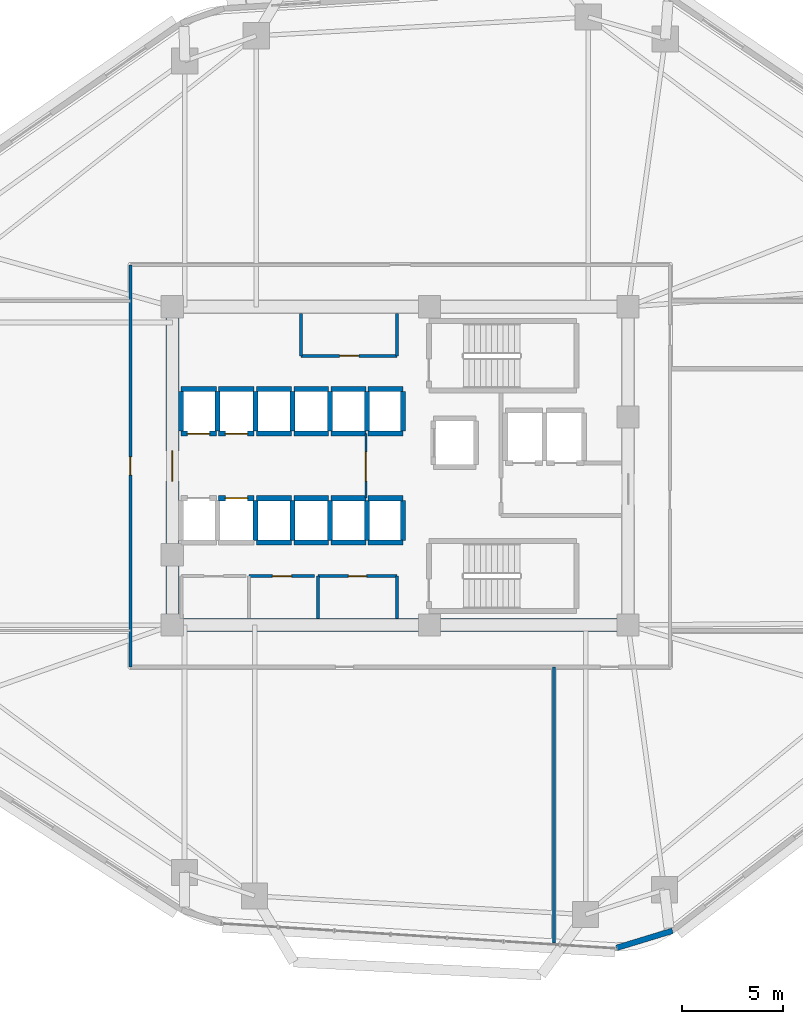
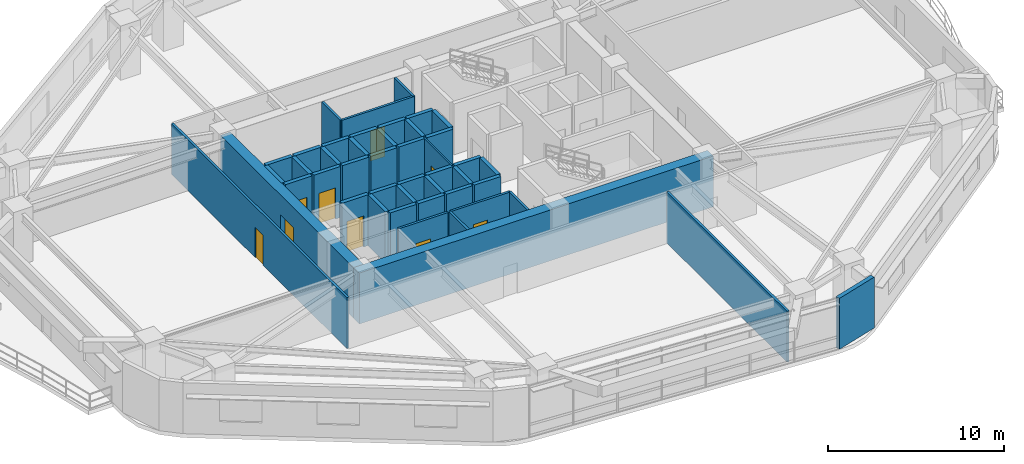
# One storey, part 8 of 13: 46 walls, 9 doors, 9 openings.
"""IFC4 building model written with IfcOpenShell, lengths in metres."""

from ifc_helpers import new_model, si_unit, direction, frame, frame_2d, origin, place, context, subcontext, project, spatial, rectangle, extrude, material, layer, layer_set, type_object, element, fill, save


model = new_model("IFC4")

# Units and contexts
model_context = context("Model", 3, precision=1e-05, world=origin(), true_north=direction((0.0, 1.0)))
body_context = subcontext(model_context, "Body", "Model", "MODEL_VIEW")
ifc_project = project(units=[si_unit("LENGTHUNIT", "METRE"), si_unit("AREAUNIT", "SQUARE_METRE"), si_unit("VOLUMEUNIT", "CUBIC_METRE"), si_unit("PLANEANGLEUNIT", "RADIAN"), si_unit("MASSUNIT", "GRAM", prefix="KILO")], contexts=[model_context])

# Site, building, storey
site_placement = place(None, origin())
site = spatial("IfcSite", under=ifc_project, at=site_placement, CompositionType="ELEMENT")
building_placement = place(site_placement, origin())
building = spatial("IfcBuilding", under=site, at=building_placement, Name="Zulverin Broadcast Headquarters", CompositionType="ELEMENT")
storey_placement = place(building_placement, frame((0.0, 0.0, 70.60009765625)))
storey = spatial("IfcBuildingStorey", under=building, at=storey_placement, Name="L17", CompositionType="ELEMENT", Elevation=70.60009765625)

# Wall
ifc_material_1 = material(Name="Concrete C60/75", Category="concrete")
ifc_layer_1 = layer(ifc_material_1, 0.64990234375, Name="Concrete C60/75", Category="concrete")
ifc_layer_set_1 = layer_set([ifc_layer_1], Name="Concrete C60/75")
wall_type_1 = type_object("IfcWallType", Name="WL-CORE-650", PredefinedType="SHEAR", material=ifc_layer_set_1)
wall_1_placement = place(storey_placement, frame((25.39990234375, 17.324951171875, 0.0), z_axis=(0.0, 0.0, 1.0), x_axis=(1.0, 0.0, 0.0)))
element("IfcWall", 1, at=wall_1_placement, inside=storey, type_object=wall_type_1, Name="L17 Core South Shear Wall", PredefinedType="SHEAR", context=body_context, shape_type="SweptSolid", body=[
    extrude(rectangle(XDim=23.2001953125, YDim=0.64990234375, at=frame_2d((11.60009765625, 0.0))), origin(), (0.0, 0.0, 1.0), 3.52490234375),
])

# Wall, opening, door
wall_2_placement = place(storey_placement, frame((25.72509765625, 17.64990234375, 0.0), z_axis=(0.0, 0.0, 1.0), x_axis=(0.0, 1.0, 0.0)))
wall_2 = element("IfcWall", 2, at=wall_2_placement, inside=storey, type_object=wall_type_1, Name="L17 Core West Shear Wall", PredefinedType="SHEAR", context=body_context, shape_type="SweptSolid", body=[
    extrude(rectangle(XDim=15.10009765625, YDim=0.64990234375, at=frame_2d((7.550048828125, 0.0))), origin(), (0.0, 0.0, 1.0), 3.52490234375),
])
opening_1_placement = place(wall_2_placement, frame((6.800048828125, 0.0, 0.0)))
opening_1 = element("IfcOpeningElement", 3, at=opening_1_placement, cuts=wall_2, Name="Opening D-L17-CW1", PredefinedType="OPENING", context=body_context, shape_type="SweptSolid", body=[
    extrude(rectangle(XDim=1.5, YDim=2.14990234375, at=frame_2d((0.75, 1.074951171875))), frame((0.0, 0.3349609375, 0.0), z_axis=(0.0, -1.0, 0.0), x_axis=(1.0, 0.0, 0.0)), (0.0, 0.0, 1.0), 0.669921875),
])
ifc_material_2 = material(Name="Fire-rated glazed steel frame", Category="steel")
door_type_1 = type_object("IfcDoorType", Name="DR-COR-1500", OperationType="DOUBLE_DOOR_SINGLE_SWING", PredefinedType="DOOR", material=ifc_material_2)
door_1_placement = place(opening_1_placement, origin())
door_1 = element("IfcDoor", 4, at=door_1_placement, inside=storey, type_object=door_type_1, Name="L17 Central Lift Lobby West Portal Door", OperationType="DOUBLE_DOOR_SINGLE_SWING", OverallHeight=2.14990234375, OverallWidth=1.5, PredefinedType="DOOR", context=body_context, shape_type="SweptSolid", body=[
    extrude(rectangle(XDim=1.5, YDim=2.14990234375, at=frame_2d((0.75, 1.074951171875))), frame((0.0, 0.02490234375, 0.0), z_axis=(0.0, -1.0, 0.0), x_axis=(1.0, 0.0, 0.0)), (0.0, 0.0, 1.0), 0.050048828125),
])
fill(opening_1, door_1)

# Wall
ifc_material_3 = material(Name="Insulated pale-metal clad concrete spandrel C40/50", Category="concrete")
ifc_layer_2 = layer(ifc_material_3, 0.280029296875, Name="Insulated pale-metal clad concrete spandrel C40/50", Category="concrete")
ifc_layer_set_2 = layer_set([ifc_layer_2], Name="Insulated pale-metal clad concrete spandrel C40/50")
wall_type_2 = type_object("IfcWallType", Name="WL-EXT-280", PredefinedType="STANDARD", material=ifc_layer_set_2)
wall_3_placement = place(storey_placement, frame((47.7119140625, 1.35205078125, 0.0), z_axis=(0.0, 0.0, 1.0), x_axis=(0.956465727645, 0.291844670743, 0.0)))
element("IfcWall", 5, at=wall_3_placement, inside=storey, type_object=wall_type_2, Name="L17 Wind-Shaped Corner Spandrel Wall 1-1", PredefinedType="STANDARD", context=body_context, shape_type="SweptSolid", body=[
    extrude(rectangle(XDim=2.886962890625, YDim=0.280029296875, at=frame_2d((1.443359375, 0.0))), origin(), (0.0, 0.0, 1.0), 3.52490234375),
])

# Wall, opening, door
ifc_material_4 = material(Name="Fire-rated acoustic laminated glass screen", Category="glass")
ifc_layer_3 = layer(ifc_material_4, 0.10009765625, Name="Fire-rated acoustic laminated glass screen", Category="glass")
ifc_layer_set_3 = layer_set([ifc_layer_3], Name="Fire-rated acoustic laminated glass screen")
wall_type_3 = type_object("IfcWallType", Name="WL-GLAZ-100", PredefinedType="PARTITIONING", material=ifc_layer_set_3)
wall_4_placement = place(storey_placement, frame((35.300048828125, 23.60009765625, 0.0), z_axis=(0.0, 0.0, 1.0), x_axis=(0.0, 1.0, 0.0)))
wall_4 = element("IfcWall", 6, at=wall_4_placement, inside=storey, type_object=wall_type_3, Name="L17 Central Core Smoke Vestibule Screen", PredefinedType="PARTITIONING", context=body_context, shape_type="SweptSolid", body=[
    extrude(rectangle(XDim=3.199951171875, YDim=0.10009765625, at=frame_2d((1.60009765625, 0.0))), origin(), (0.0, 0.0, 1.0), 3.52490234375),
])
opening_2_placement = place(wall_4_placement, frame((0.85009765625, 0.0, 0.0)))
opening_2 = element("IfcOpeningElement", 7, at=opening_2_placement, cuts=wall_4, Name="Opening D-L17-CL2", PredefinedType="OPENING", context=body_context, shape_type="SweptSolid", body=[
    extrude(rectangle(XDim=1.449951171875, YDim=2.1201171875, at=frame_2d((0.72509765625, 1.06005859375))), frame((0.0, 0.06005859375, 0.0), z_axis=(0.0, -1.0, 0.0), x_axis=(1.0, 0.0, 0.0)), (0.0, 0.0, 1.0), 0.1201171875),
])
ifc_material_5 = material(Name="Fire-rated acoustic glazed double leaf", Category="glass")
door_type_2 = type_object("IfcDoorType", Name="DR-GLZ-1450", OperationType="DOUBLE_DOOR_SINGLE_SWING", PredefinedType="DOOR", material=ifc_material_5)
door_2_placement = place(opening_2_placement, origin())
door_2 = element("IfcDoor", 8, at=door_2_placement, inside=storey, type_object=door_type_2, Name="L17 Central Core Smoke Vestibule Door", OperationType="DOUBLE_DOOR_SINGLE_SWING", OverallHeight=2.1201171875, OverallWidth=1.449951171875, PredefinedType="DOOR", context=body_context, shape_type="SweptSolid", body=[
    extrude(rectangle(XDim=1.449951171875, YDim=2.1201171875, at=frame_2d((0.72509765625, 1.06005859375))), frame((0.0, 0.02490234375, 0.0), z_axis=(0.0, -1.0, 0.0), x_axis=(1.0, 0.0, 0.0)), (0.0, 0.0, 1.0), 0.050048828125),
])
fill(opening_2, door_2)

ifc_material_6 = material(Name="Fire-rated gypsum stud partition", Category="gypsum")
ifc_layer_4 = layer(ifc_material_6, 0.14990234375, Name="Fire-rated gypsum stud partition", Category="gypsum")
ifc_layer_set_4 = layer_set([ifc_layer_4], Name="Fire-rated gypsum stud partition")
wall_type_4 = type_object("IfcWallType", Name="WL-PART-150", PredefinedType="PARTITIONING", material=ifc_layer_set_4)
wall_5_placement = place(storey_placement, frame((32.10009765625, 30.64990234375, 0.0), z_axis=(0.0, 0.0, 1.0), x_axis=(1.0, 0.0, 0.0)))
wall_5 = element("IfcWall", 9, at=wall_5_placement, inside=storey, type_object=wall_type_4, Name="L17 Core Accessible WC & Electrical Riser Front Wall", PredefinedType="PARTITIONING", context=body_context, shape_type="SweptSolid", body=[
    extrude(rectangle(XDim=4.75, YDim=0.14990234375, at=frame_2d((2.375, 0.0))), origin(), (0.0, 0.0, 1.0), 3.52490234375),
])
opening_3_placement = place(wall_5_placement, frame((1.89990234375, 0.0, 0.0)))
opening_3 = element("IfcOpeningElement", 10, at=opening_3_placement, cuts=wall_5, Name="Opening D-L17-NC1", PredefinedType="OPENING", context=body_context, shape_type="SweptSolid", body=[
    extrude(rectangle(XDim=0.949951171875, YDim=2.10009765625, at=frame_2d((0.47509765625, 1.050048828125))), frame((0.0, 0.0849609375, 0.0), z_axis=(0.0, -1.0, 0.0), x_axis=(1.0, 0.0, 0.0)), (0.0, 0.0, 1.0), 0.169921875),
])
ifc_material_7 = material(Name="Fire-rated moisture-resistant laminate leaf", Category="wood")
door_type_3 = type_object("IfcDoorType", Name="DR-WC-950", OperationType="SINGLE_SWING_LEFT", PredefinedType="DOOR", material=ifc_material_7)
door_3_placement = place(opening_3_placement, origin())
door_3 = element("IfcDoor", 11, at=door_3_placement, inside=storey, type_object=door_type_3, Name="L17 Accessible WC & Electrical Riser Door", OperationType="SINGLE_SWING_LEFT", OverallHeight=2.10009765625, OverallWidth=0.949951171875, PredefinedType="DOOR", context=body_context, shape_type="SweptSolid", body=[
    extrude(rectangle(XDim=0.949951171875, YDim=2.10009765625, at=frame_2d((0.47509765625, 1.050048828125))), frame((0.0, 0.02490234375, 0.0), z_axis=(0.0, -1.0, 0.0), x_axis=(1.0, 0.0, 0.0)), (0.0, 0.0, 1.0), 0.050048828125),
])
fill(opening_3, door_3)

# Walls
for number, where, z_axis, x_axis, name in (
    (12, (32.10009765625, 30.64990234375, 0.0), (0.0, 0.0, 1.0), (0.0, 1.0, 0.0), "L17 Core Accessible WC & Electrical Riser West Wall"),
    (13, (36.85009765625, 30.64990234375, 0.0), (0.0, 0.0, 1.0), (0.0, 1.0, 0.0), "L17 Core Accessible WC & Electrical Riser East Wall"),
):
    element("IfcWall", number, at=place(storey_placement, frame(where, z_axis=z_axis, x_axis=x_axis)), inside=storey, type_object=wall_type_4, Name=name, PredefinedType="PARTITIONING", context=body_context, shape_type="SweptSolid", body=[
        extrude(rectangle(XDim=2.10009765625, YDim=0.14990234375, at=frame_2d((1.050048828125, 0.0))), origin(), (0.0, 0.0, 1.0), 3.52490234375),
    ])

# Wall, opening, door
wall_6_placement = place(storey_placement, frame((29.530029296875, 19.75, 0.0), z_axis=(0.0, 0.0, 1.0), x_axis=(1.0, 0.0, 0.0)))
wall_6 = element("IfcWall", 14, at=wall_6_placement, inside=storey, type_object=wall_type_4, Name="L17 Core Female WC Front Wall", PredefinedType="PARTITIONING", context=body_context, shape_type="SweptSolid", body=[
    extrude(rectangle(XDim=3.239990234375, YDim=0.14990234375, at=frame_2d((1.6201171875, 0.0))), origin(), (0.0, 0.0, 1.0), 3.52490234375),
])
opening_4_placement = place(wall_6_placement, frame((1.14501953125, 0.0, 0.0)))
opening_4 = element("IfcOpeningElement", 15, at=opening_4_placement, cuts=wall_6, Name="Opening D-L17-SC2", PredefinedType="OPENING", context=body_context, shape_type="SweptSolid", body=[
    extrude(rectangle(XDim=0.949951171875, YDim=2.10009765625, at=frame_2d((0.47509765625, 1.050048828125))), frame((0.0, 0.0849609375, 0.0), z_axis=(0.0, -1.0, 0.0), x_axis=(1.0, 0.0, 0.0)), (0.0, 0.0, 1.0), 0.169921875),
])
door_4_placement = place(opening_4_placement, origin())
door_4 = element("IfcDoor", 16, at=door_4_placement, inside=storey, type_object=door_type_3, Name="L17 Female WC Door", OperationType="SINGLE_SWING_LEFT", OverallHeight=2.10009765625, OverallWidth=0.949951171875, PredefinedType="DOOR", context=body_context, shape_type="SweptSolid", body=[
    extrude(rectangle(XDim=0.949951171875, YDim=2.10009765625, at=frame_2d((0.47509765625, 1.050048828125))), frame((0.0, 0.02490234375, 0.0), z_axis=(0.0, -1.0, 0.0), x_axis=(1.0, 0.0, 0.0)), (0.0, 0.0, 1.0), 0.050048828125),
])
fill(opening_4, door_4)

wall_7_placement = place(storey_placement, frame((32.929931640625, 19.75, 0.0), z_axis=(0.0, 0.0, 1.0), x_axis=(1.0, 0.0, 0.0)))
wall_7 = element("IfcWall", 17, at=wall_7_placement, inside=storey, type_object=wall_type_4, Name="L17 Core Cleaner Store Front Wall", PredefinedType="PARTITIONING", context=body_context, shape_type="SweptSolid", body=[
    extrude(rectangle(XDim=3.920166015625, YDim=0.14990234375, at=frame_2d((1.9599609375, 0.0))), origin(), (0.0, 0.0, 1.0), 3.52490234375),
])
opening_5_placement = place(wall_7_placement, frame((1.510009765625, 0.0, 0.0)))
opening_5 = element("IfcOpeningElement", 18, at=opening_5_placement, cuts=wall_7, Name="Opening D-L17-SC3", PredefinedType="OPENING", context=body_context, shape_type="SweptSolid", body=[
    extrude(rectangle(XDim=0.89990234375, YDim=2.10009765625, at=frame_2d((0.449951171875, 1.050048828125))), frame((0.0, 0.0849609375, 0.0), z_axis=(0.0, -1.0, 0.0), x_axis=(1.0, 0.0, 0.0)), (0.0, 0.0, 1.0), 0.169921875),
])
ifc_material_8 = material(Name="Powder-coated steel access leaf", Category="steel")
door_type_4 = type_object("IfcDoorType", Name="DR-RISER-900", OperationType="SINGLE_SWING_LEFT", PredefinedType="DOOR", material=ifc_material_8)
door_5_placement = place(opening_5_placement, origin())
door_5 = element("IfcDoor", 19, at=door_5_placement, inside=storey, type_object=door_type_4, Name="L17 Cleaner Store Door", OperationType="SINGLE_SWING_RIGHT", OverallHeight=2.10009765625, OverallWidth=0.89990234375, PredefinedType="DOOR", context=body_context, shape_type="SweptSolid", body=[
    extrude(rectangle(XDim=0.89990234375, YDim=2.10009765625, at=frame_2d((0.449951171875, 1.050048828125))), frame((0.0, 0.02490234375, 0.0), z_axis=(0.0, -1.0, 0.0), x_axis=(1.0, 0.0, 0.0)), (0.0, 0.0, 1.0), 0.050048828125),
])
fill(opening_5, door_5)

# Walls
for number, where, z_axis, x_axis, name in (
    (20, (32.929931640625, 17.64990234375, 0.0), (0.0, 0.0, 1.0), (0.0, 1.0, 0.0), "L17 Core Cleaner Store West Wall"),
    (21, (36.85009765625, 17.64990234375, 0.0), (0.0, 0.0, 1.0), (0.0, 1.0, 0.0), "L17 Core Cleaner Store East Wall"),
):
    element("IfcWall", number, at=place(storey_placement, frame(where, z_axis=z_axis, x_axis=x_axis)), inside=storey, type_object=wall_type_4, Name=name, PredefinedType="PARTITIONING", context=body_context, shape_type="SweptSolid", body=[
        extrude(rectangle(XDim=2.10009765625, YDim=0.14990234375, at=frame_2d((1.050048828125, 0.0))), origin(), (0.0, 0.0, 1.0), 3.52490234375),
    ])
wall_8_placement = place(storey_placement, frame((44.60009765625, 1.59912109375, 0.0), z_axis=(0.0, 0.0, 1.0), x_axis=(0.0, 1.0, 0.0)))
element("IfcWall", 22, at=wall_8_placement, inside=storey, type_object=wall_type_4, Name="L17 Room Partition Wall RP-02", PredefinedType="PARTITIONING", context=body_context, shape_type="SweptSolid", body=[
    extrude(rectangle(XDim=13.65087890625, YDim=0.14990234375, at=frame_2d((6.825439453125, 0.0))), origin(), (0.0, 0.0, 1.0), 3.52490234375),
])

# Wall, opening, door
wall_9_placement = place(storey_placement, frame((23.64990234375, 15.25, 0.0), z_axis=(0.0, 0.0, 1.0), x_axis=(0.0, 1.0, 0.0)))
wall_9 = element("IfcWall", 23, at=wall_9_placement, inside=storey, type_object=wall_type_4, Name="L17 Gallery Partition Wall CG-03", PredefinedType="PARTITIONING", context=body_context, shape_type="SweptSolid", body=[
    extrude(rectangle(XDim=19.89990234375, YDim=0.14990234375, at=frame_2d((9.949951171875, 0.0))), origin(), (0.0, 0.0, 1.0), 3.52490234375),
])
opening_6_placement = place(wall_9_placement, frame((9.5, 0.0, 0.0)))
opening_6 = element("IfcOpeningElement", 24, at=opening_6_placement, cuts=wall_9, Name="Opening D-L17-04", PredefinedType="OPENING", context=body_context, shape_type="SweptSolid", body=[
    extrude(rectangle(XDim=0.89990234375, YDim=2.10009765625, at=frame_2d((0.449951171875, 1.050048828125))), frame((0.0, 0.0849609375, 0.0), z_axis=(0.0, -1.0, 0.0), x_axis=(1.0, 0.0, 0.0)), (0.0, 0.0, 1.0), 0.169921875),
])
ifc_material_9 = material(Name="Fire-rated hardwood veneer timber leaf", Category="wood")
door_type_5 = type_object("IfcDoorType", Name="DR-ROOM-900", OperationType="SINGLE_SWING_RIGHT", PredefinedType="DOOR", material=ifc_material_9)
door_6_placement = place(opening_6_placement, origin())
door_6 = element("IfcDoor", 25, at=door_6_placement, inside=storey, type_object=door_type_5, Name="L17 Media Library Gallery Door", OperationType="SINGLE_SWING_LEFT", OverallHeight=2.10009765625, OverallWidth=0.89990234375, PredefinedType="DOOR", context=body_context, shape_type="SweptSolid", body=[
    extrude(rectangle(XDim=0.89990234375, YDim=2.10009765625, at=frame_2d((0.449951171875, 1.050048828125))), frame((0.0, 0.02490234375, 0.0), z_axis=(0.0, -1.0, 0.0), x_axis=(1.0, 0.0, 0.0)), (0.0, 0.0, 1.0), 0.050048828125),
])
fill(opening_6, door_6)

ifc_material_10 = material(Name="Concrete C50/60", Category="concrete")
ifc_layer_5 = layer(ifc_material_10, 0.25, Name="Concrete C50/60", Category="concrete")
ifc_layer_set_5 = layer_set([ifc_layer_5], Name="Concrete C50/60")
wall_type_5 = type_object("IfcWallType", Name="WL-SHAFT-250", PredefinedType="SHEAR", material=ifc_layer_set_5)
wall_10_placement = place(storey_placement, frame((26.14990234375, 26.800048828125, 0.0), z_axis=(0.0, 0.0, 1.0), x_axis=(1.0, 0.0, 0.0)))
wall_10 = element("IfcWall", 26, at=wall_10_placement, inside=storey, type_object=wall_type_5, Name="L17 Lift PL-L1 Shaft Wall S", PredefinedType="SHEAR", context=body_context, shape_type="SweptSolid", body=[
    extrude(rectangle(XDim=1.75, YDim=0.25, at=frame_2d((0.875, 0.0))), origin(), (0.0, 0.0, 1.0), 3.52490234375),
])
opening_7_placement = place(wall_10_placement, frame((0.324951171875, 0.0, 0.0)))
opening_7 = element("IfcOpeningElement", 27, at=opening_7_placement, cuts=wall_10, Name="Opening LD-PL-L1-L17", PredefinedType="OPENING", context=body_context, shape_type="SweptSolid", body=[
    extrude(rectangle(XDim=1.10009765625, YDim=2.14990234375, at=frame_2d((0.550048828125, 1.074951171875))), frame((0.0, 0.135009765625, 0.0), z_axis=(0.0, -1.0, 0.0), x_axis=(1.0, 0.0, 0.0)), (0.0, 0.0, 1.0), 0.27001953125),
])
ifc_material_11 = material(Name="Brushed stainless steel landing", Category="steel")
door_type_6 = type_object("IfcDoorType", Name="LD-PASS-1100", OperationType="DOUBLE_DOOR_SLIDING", PredefinedType="DOOR", material=ifc_material_11)
door_7_placement = place(opening_7_placement, origin())
door_7 = element("IfcDoor", 28, at=door_7_placement, inside=storey, type_object=door_type_6, Name="L17 Lift PL-L1 Sliding Landing Door", OperationType="DOUBLE_DOOR_SLIDING", OverallHeight=2.14990234375, OverallWidth=1.10009765625, PredefinedType="DOOR", context=body_context, shape_type="SweptSolid", body=[
    extrude(rectangle(XDim=1.10009765625, YDim=2.14990234375, at=frame_2d((0.550048828125, 1.074951171875))), frame((0.0, 0.02490234375, 0.0), z_axis=(0.0, -1.0, 0.0), x_axis=(1.0, 0.0, 0.0)), (0.0, 0.0, 1.0), 0.050048828125),
])
fill(opening_7, door_7)

# Walls
wall_11_placement = place(storey_placement, frame((26.14990234375, 29.0, 0.0), z_axis=(0.0, 0.0, 1.0), x_axis=(1.0, 0.0, 0.0)))
element("IfcWall", 29, at=wall_11_placement, inside=storey, type_object=wall_type_5, Name="L17 Lift PL-L1 Shaft Wall N", PredefinedType="SHEAR", context=body_context, shape_type="SweptSolid", body=[
    extrude(rectangle(XDim=1.75, YDim=0.25, at=frame_2d((0.875, 0.0))), origin(), (0.0, 0.0, 1.0), 3.52490234375),
])
for number, where, z_axis, x_axis, name in (
    (30, (26.14990234375, 26.919921875, 0.0), (0.0, 0.0, 1.0), (0.0, 1.0, 0.0), "L17 Lift PL-L1 Shaft Wall W"),
    (31, (27.9599609375, 26.919921875, 0.0), (0.0, 0.0, 1.0), (0.0, 1.0, 0.0), "L17 Lift PL-L1 Shaft Wall E"),
):
    element("IfcWall", number, at=place(storey_placement, frame(where, z_axis=z_axis, x_axis=x_axis)), inside=storey, type_object=wall_type_5, Name=name, PredefinedType="SHEAR", context=body_context, shape_type="SweptSolid", body=[
        extrude(rectangle(XDim=1.9599609375, YDim=0.25, at=frame_2d((0.97998046875, 0.0))), origin(), (0.0, 0.0, 1.0), 3.52490234375),
    ])

# Wall, opening, door
wall_12_placement = place(storey_placement, frame((28.02001953125, 26.800048828125, 0.0), z_axis=(0.0, 0.0, 1.0), x_axis=(1.0, 0.0, 0.0)))
wall_12 = element("IfcWall", 32, at=wall_12_placement, inside=storey, type_object=wall_type_5, Name="L17 Lift PL-L2 Shaft Wall S", PredefinedType="SHEAR", context=body_context, shape_type="SweptSolid", body=[
    extrude(rectangle(XDim=1.75, YDim=0.25, at=frame_2d((0.875, 0.0))), origin(), (0.0, 0.0, 1.0), 3.52490234375),
])
opening_8_placement = place(wall_12_placement, frame((0.324951171875, 0.0, 0.0)))
opening_8 = element("IfcOpeningElement", 33, at=opening_8_placement, cuts=wall_12, Name="Opening LD-PL-L2-L17", PredefinedType="OPENING", context=body_context, shape_type="SweptSolid", body=[
    extrude(rectangle(XDim=1.10009765625, YDim=2.14990234375, at=frame_2d((0.550048828125, 1.074951171875))), frame((0.0, 0.135009765625, 0.0), z_axis=(0.0, -1.0, 0.0), x_axis=(1.0, 0.0, 0.0)), (0.0, 0.0, 1.0), 0.27001953125),
])
door_8_placement = place(opening_8_placement, origin())
door_8 = element("IfcDoor", 34, at=door_8_placement, inside=storey, type_object=door_type_6, Name="L17 Lift PL-L2 Sliding Landing Door", OperationType="DOUBLE_DOOR_SLIDING", OverallHeight=2.14990234375, OverallWidth=1.10009765625, PredefinedType="DOOR", context=body_context, shape_type="SweptSolid", body=[
    extrude(rectangle(XDim=1.10009765625, YDim=2.14990234375, at=frame_2d((0.550048828125, 1.074951171875))), frame((0.0, 0.02490234375, 0.0), z_axis=(0.0, -1.0, 0.0), x_axis=(1.0, 0.0, 0.0)), (0.0, 0.0, 1.0), 0.050048828125),
])
fill(opening_8, door_8)

# Walls
wall_13_placement = place(storey_placement, frame((28.02001953125, 29.0, 0.0), z_axis=(0.0, 0.0, 1.0), x_axis=(1.0, 0.0, 0.0)))
element("IfcWall", 35, at=wall_13_placement, inside=storey, type_object=wall_type_5, Name="L17 Lift PL-L2 Shaft Wall N", PredefinedType="SHEAR", context=body_context, shape_type="SweptSolid", body=[
    extrude(rectangle(XDim=1.75, YDim=0.25, at=frame_2d((0.875, 0.0))), origin(), (0.0, 0.0, 1.0), 3.52490234375),
])
wall_14_placement = place(storey_placement, frame((29.8349609375, 26.919921875, 0.0), z_axis=(0.0, 0.0, 1.0), x_axis=(0.0, 1.0, 0.0)))
element("IfcWall", 36, at=wall_14_placement, inside=storey, type_object=wall_type_5, Name="L17 Lift PL-L2 Shaft Wall E", PredefinedType="SHEAR", context=body_context, shape_type="SweptSolid", body=[
    extrude(rectangle(XDim=1.9599609375, YDim=0.25, at=frame_2d((0.97998046875, 0.0))), origin(), (0.0, 0.0, 1.0), 3.52490234375),
])

# Wall, opening, door
wall_15_placement = place(storey_placement, frame((28.02001953125, 23.60009765625, 0.0), z_axis=(0.0, 0.0, 1.0), x_axis=(1.0, 0.0, 0.0)))
wall_15 = element("IfcWall", 37, at=wall_15_placement, inside=storey, type_object=wall_type_5, Name="L17 Lift PL-L4 Shaft Wall N", PredefinedType="SHEAR", context=body_context, shape_type="SweptSolid", body=[
    extrude(rectangle(XDim=1.75, YDim=0.25, at=frame_2d((0.875, 0.0))), origin(), (0.0, 0.0, 1.0), 3.52490234375),
])
opening_9_placement = place(wall_15_placement, frame((0.324951171875, 0.0, 0.0)))
opening_9 = element("IfcOpeningElement", 38, at=opening_9_placement, cuts=wall_15, Name="Opening LD-PL-L4-L17", PredefinedType="OPENING", context=body_context, shape_type="SweptSolid", body=[
    extrude(rectangle(XDim=1.10009765625, YDim=2.14990234375, at=frame_2d((0.550048828125, 1.074951171875))), frame((0.0, 0.135009765625, 0.0), z_axis=(0.0, -1.0, 0.0), x_axis=(1.0, 0.0, 0.0)), (0.0, 0.0, 1.0), 0.27001953125),
])
door_9_placement = place(opening_9_placement, origin())
door_9 = element("IfcDoor", 39, at=door_9_placement, inside=storey, type_object=door_type_6, Name="L17 Lift PL-L4 Sliding Landing Door", OperationType="DOUBLE_DOOR_SLIDING", OverallHeight=2.14990234375, OverallWidth=1.10009765625, PredefinedType="DOOR", context=body_context, shape_type="SweptSolid", body=[
    extrude(rectangle(XDim=1.10009765625, YDim=2.14990234375, at=frame_2d((0.550048828125, 1.074951171875))), frame((0.0, 0.02490234375, 0.0), z_axis=(0.0, -1.0, 0.0), x_axis=(1.0, 0.0, 0.0)), (0.0, 0.0, 1.0), 0.050048828125),
])
fill(opening_9, door_9)

# Walls
wall_16_placement = place(storey_placement, frame((29.8349609375, 21.52001953125, 0.0), z_axis=(0.0, 0.0, 1.0), x_axis=(0.0, 1.0, 0.0)))
element("IfcWall", 40, at=wall_16_placement, inside=storey, type_object=wall_type_5, Name="L17 Lift PL-L4 Shaft Wall E", PredefinedType="SHEAR", context=body_context, shape_type="SweptSolid", body=[
    extrude(rectangle(XDim=1.9599609375, YDim=0.25, at=frame_2d((0.97998046875, 0.0))), origin(), (0.0, 0.0, 1.0), 3.52490234375),
])
for number, where, z_axis, x_axis, name in (
    (41, (29.89990234375, 21.39990234375, 0.0), (0.0, 0.0, 1.0), (1.0, 0.0, 0.0), "L17 Lift PL-M1 Shaft Wall S"),
    (42, (29.89990234375, 23.60009765625, 0.0), (0.0, 0.0, 1.0), (1.0, 0.0, 0.0), "L17 Lift PL-M1 Shaft Wall N"),
):
    element("IfcWall", number, at=place(storey_placement, frame(where, z_axis=z_axis, x_axis=x_axis)), inside=storey, type_object=wall_type_5, Name=name, PredefinedType="SHEAR", context=body_context, shape_type="SweptSolid", body=[
        extrude(rectangle(XDim=1.72021484375, YDim=0.25, at=frame_2d((0.860107421875, 0.0))), origin(), (0.0, 0.0, 1.0), 3.52490234375),
    ])
wall_17_placement = place(storey_placement, frame((31.679931640625, 21.52001953125, 0.0), z_axis=(0.0, 0.0, 1.0), x_axis=(0.0, 1.0, 0.0)))
element("IfcWall", 43, at=wall_17_placement, inside=storey, type_object=wall_type_5, Name="L17 Lift PL-M1 Shaft Wall E", PredefinedType="SHEAR", context=body_context, shape_type="SweptSolid", body=[
    extrude(rectangle(XDim=1.9599609375, YDim=0.25, at=frame_2d((0.97998046875, 0.0))), origin(), (0.0, 0.0, 1.0), 3.52490234375),
])
for number, where, z_axis, x_axis, name in (
    (44, (31.739990234375, 21.39990234375, 0.0), (0.0, 0.0, 1.0), (1.0, 0.0, 0.0), "L17 Lift PL-M2 Shaft Wall S"),
    (45, (31.739990234375, 23.60009765625, 0.0), (0.0, 0.0, 1.0), (1.0, 0.0, 0.0), "L17 Lift PL-M2 Shaft Wall N"),
):
    element("IfcWall", number, at=place(storey_placement, frame(where, z_axis=z_axis, x_axis=x_axis)), inside=storey, type_object=wall_type_5, Name=name, PredefinedType="SHEAR", context=body_context, shape_type="SweptSolid", body=[
        extrude(rectangle(XDim=1.719970703125, YDim=0.25, at=frame_2d((0.85986328125, 0.0))), origin(), (0.0, 0.0, 1.0), 3.52490234375),
    ])
wall_18_placement = place(storey_placement, frame((33.52001953125, 21.52001953125, 0.0), z_axis=(0.0, 0.0, 1.0), x_axis=(0.0, 1.0, 0.0)))
element("IfcWall", 46, at=wall_18_placement, inside=storey, type_object=wall_type_5, Name="L17 Lift PL-M2 Shaft Wall E", PredefinedType="SHEAR", context=body_context, shape_type="SweptSolid", body=[
    extrude(rectangle(XDim=1.9599609375, YDim=0.25, at=frame_2d((0.97998046875, 0.0))), origin(), (0.0, 0.0, 1.0), 3.52490234375),
])
for number, where, z_axis, x_axis, name in (
    (47, (33.580078125, 21.39990234375, 0.0), (0.0, 0.0, 1.0), (1.0, 0.0, 0.0), "L17 Lift PL-M3 Shaft Wall S"),
    (48, (33.580078125, 23.60009765625, 0.0), (0.0, 0.0, 1.0), (1.0, 0.0, 0.0), "L17 Lift PL-M3 Shaft Wall N"),
):
    element("IfcWall", number, at=place(storey_placement, frame(where, z_axis=z_axis, x_axis=x_axis)), inside=storey, type_object=wall_type_5, Name=name, PredefinedType="SHEAR", context=body_context, shape_type="SweptSolid", body=[
        extrude(rectangle(XDim=1.719970703125, YDim=0.25, at=frame_2d((0.85986328125, 0.0))), origin(), (0.0, 0.0, 1.0), 3.52490234375),
    ])
wall_19_placement = place(storey_placement, frame((35.360107421875, 21.52001953125, 0.0), z_axis=(0.0, 0.0, 1.0), x_axis=(0.0, 1.0, 0.0)))
element("IfcWall", 49, at=wall_19_placement, inside=storey, type_object=wall_type_5, Name="L17 Lift PL-M3 Shaft Wall E", PredefinedType="SHEAR", context=body_context, shape_type="SweptSolid", body=[
    extrude(rectangle(XDim=1.9599609375, YDim=0.25, at=frame_2d((0.97998046875, 0.0))), origin(), (0.0, 0.0, 1.0), 3.52490234375),
])
for number, where, z_axis, x_axis, name in (
    (50, (35.419921875, 21.39990234375, 0.0), (0.0, 0.0, 1.0), (1.0, 0.0, 0.0), "L17 Lift PL-M4 Shaft Wall S"),
    (51, (35.419921875, 23.60009765625, 0.0), (0.0, 0.0, 1.0), (1.0, 0.0, 0.0), "L17 Lift PL-M4 Shaft Wall N"),
):
    element("IfcWall", number, at=place(storey_placement, frame(where, z_axis=z_axis, x_axis=x_axis)), inside=storey, type_object=wall_type_5, Name=name, PredefinedType="SHEAR", context=body_context, shape_type="SweptSolid", body=[
        extrude(rectangle(XDim=1.719970703125, YDim=0.25, at=frame_2d((0.85986328125, 0.0))), origin(), (0.0, 0.0, 1.0), 3.52490234375),
    ])
wall_20_placement = place(storey_placement, frame((37.139892578125, 21.52001953125, 0.0), z_axis=(0.0, 0.0, 1.0), x_axis=(0.0, 1.0, 0.0)))
element("IfcWall", 52, at=wall_20_placement, inside=storey, type_object=wall_type_5, Name="L17 Lift PL-M4 Shaft Wall E", PredefinedType="SHEAR", context=body_context, shape_type="SweptSolid", body=[
    extrude(rectangle(XDim=1.9599609375, YDim=0.25, at=frame_2d((0.97998046875, 0.0))), origin(), (0.0, 0.0, 1.0), 3.52490234375),
])
for number, where, z_axis, x_axis, name in (
    (53, (29.89990234375, 26.800048828125, 0.0), (0.0, 0.0, 1.0), (1.0, 0.0, 0.0), "L17 Lift PL-H1 Shaft Wall S"),
    (54, (29.89990234375, 29.0, 0.0), (0.0, 0.0, 1.0), (1.0, 0.0, 0.0), "L17 Lift PL-H1 Shaft Wall N"),
):
    element("IfcWall", number, at=place(storey_placement, frame(where, z_axis=z_axis, x_axis=x_axis)), inside=storey, type_object=wall_type_5, Name=name, PredefinedType="SHEAR", context=body_context, shape_type="SweptSolid", body=[
        extrude(rectangle(XDim=1.72021484375, YDim=0.25, at=frame_2d((0.860107421875, 0.0))), origin(), (0.0, 0.0, 1.0), 3.52490234375),
    ])
wall_21_placement = place(storey_placement, frame((31.679931640625, 26.919921875, 0.0), z_axis=(0.0, 0.0, 1.0), x_axis=(0.0, 1.0, 0.0)))
element("IfcWall", 55, at=wall_21_placement, inside=storey, type_object=wall_type_5, Name="L17 Lift PL-H1 Shaft Wall E", PredefinedType="SHEAR", context=body_context, shape_type="SweptSolid", body=[
    extrude(rectangle(XDim=1.9599609375, YDim=0.25, at=frame_2d((0.97998046875, 0.0))), origin(), (0.0, 0.0, 1.0), 3.52490234375),
])
for number, where, z_axis, x_axis, name in (
    (56, (31.739990234375, 26.800048828125, 0.0), (0.0, 0.0, 1.0), (1.0, 0.0, 0.0), "L17 Lift PL-H2 Shaft Wall S"),
    (57, (31.739990234375, 29.0, 0.0), (0.0, 0.0, 1.0), (1.0, 0.0, 0.0), "L17 Lift PL-H2 Shaft Wall N"),
):
    element("IfcWall", number, at=place(storey_placement, frame(where, z_axis=z_axis, x_axis=x_axis)), inside=storey, type_object=wall_type_5, Name=name, PredefinedType="SHEAR", context=body_context, shape_type="SweptSolid", body=[
        extrude(rectangle(XDim=1.719970703125, YDim=0.25, at=frame_2d((0.85986328125, 0.0))), origin(), (0.0, 0.0, 1.0), 3.52490234375),
    ])
wall_22_placement = place(storey_placement, frame((33.52001953125, 26.919921875, 0.0), z_axis=(0.0, 0.0, 1.0), x_axis=(0.0, 1.0, 0.0)))
element("IfcWall", 58, at=wall_22_placement, inside=storey, type_object=wall_type_5, Name="L17 Lift PL-H2 Shaft Wall E", PredefinedType="SHEAR", context=body_context, shape_type="SweptSolid", body=[
    extrude(rectangle(XDim=1.9599609375, YDim=0.25, at=frame_2d((0.97998046875, 0.0))), origin(), (0.0, 0.0, 1.0), 3.52490234375),
])
for number, where, z_axis, x_axis, name in (
    (59, (33.580078125, 26.800048828125, 0.0), (0.0, 0.0, 1.0), (1.0, 0.0, 0.0), "L17 Lift PL-H3 Shaft Wall S"),
    (60, (33.580078125, 29.0, 0.0), (0.0, 0.0, 1.0), (1.0, 0.0, 0.0), "L17 Lift PL-H3 Shaft Wall N"),
):
    element("IfcWall", number, at=place(storey_placement, frame(where, z_axis=z_axis, x_axis=x_axis)), inside=storey, type_object=wall_type_5, Name=name, PredefinedType="SHEAR", context=body_context, shape_type="SweptSolid", body=[
        extrude(rectangle(XDim=1.719970703125, YDim=0.25, at=frame_2d((0.85986328125, 0.0))), origin(), (0.0, 0.0, 1.0), 3.52490234375),
    ])
wall_23_placement = place(storey_placement, frame((35.360107421875, 26.919921875, 0.0), z_axis=(0.0, 0.0, 1.0), x_axis=(0.0, 1.0, 0.0)))
element("IfcWall", 61, at=wall_23_placement, inside=storey, type_object=wall_type_5, Name="L17 Lift PL-H3 Shaft Wall E", PredefinedType="SHEAR", context=body_context, shape_type="SweptSolid", body=[
    extrude(rectangle(XDim=1.9599609375, YDim=0.25, at=frame_2d((0.97998046875, 0.0))), origin(), (0.0, 0.0, 1.0), 3.52490234375),
])
for number, where, z_axis, x_axis, name in (
    (62, (35.419921875, 26.800048828125, 0.0), (0.0, 0.0, 1.0), (1.0, 0.0, 0.0), "L17 Lift PL-H4 Shaft Wall S"),
    (63, (35.419921875, 29.0, 0.0), (0.0, 0.0, 1.0), (1.0, 0.0, 0.0), "L17 Lift PL-H4 Shaft Wall N"),
):
    element("IfcWall", number, at=place(storey_placement, frame(where, z_axis=z_axis, x_axis=x_axis)), inside=storey, type_object=wall_type_5, Name=name, PredefinedType="SHEAR", context=body_context, shape_type="SweptSolid", body=[
        extrude(rectangle(XDim=1.719970703125, YDim=0.25, at=frame_2d((0.85986328125, 0.0))), origin(), (0.0, 0.0, 1.0), 3.52490234375),
    ])
wall_24_placement = place(storey_placement, frame((37.139892578125, 26.919921875, 0.0), z_axis=(0.0, 0.0, 1.0), x_axis=(0.0, 1.0, 0.0)))
element("IfcWall", 64, at=wall_24_placement, inside=storey, type_object=wall_type_5, Name="L17 Lift PL-H4 Shaft Wall E", PredefinedType="SHEAR", context=body_context, shape_type="SweptSolid", body=[
    extrude(rectangle(XDim=1.9599609375, YDim=0.25, at=frame_2d((0.97998046875, 0.0))), origin(), (0.0, 0.0, 1.0), 3.52490234375),
])

save(model, "model.ifc")
